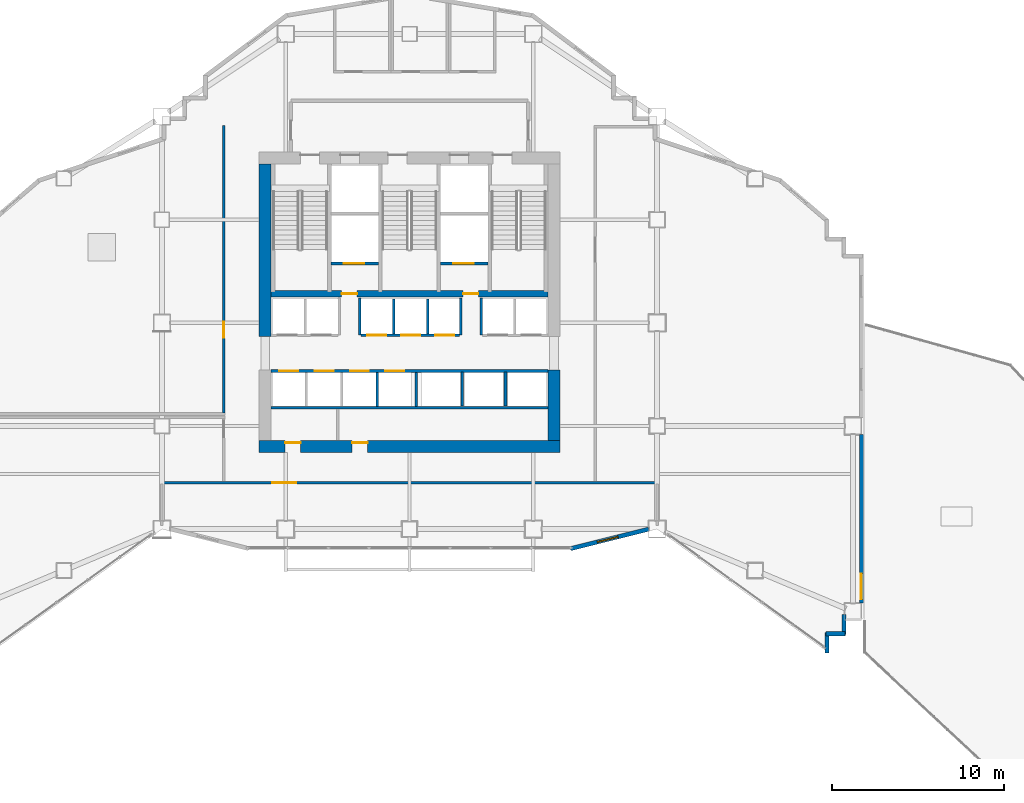
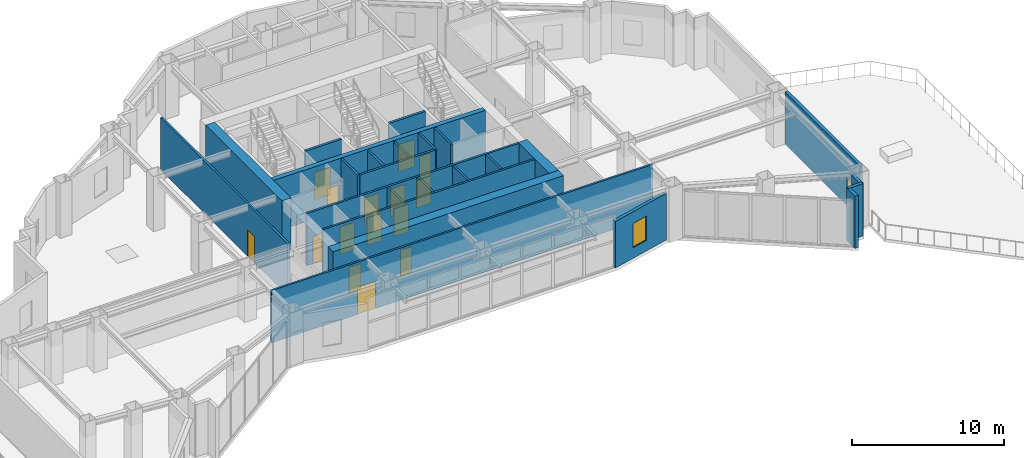
# One storey, part 10 of 19: 25 walls, 16 doors, 1 window, 17 openings.
"""IFC4 building model written with IfcOpenShell, lengths in metres."""

import ifcopenshell
import ifcopenshell.guid

model = None  # the IFC model being written
_history = None  # IfcOwnerHistory: only IFC2X3 demands one
_inside = {}  # id of a spatial element -> (the spatial element, [elements in it])
_under = {}  # id of a project, library or spatial element -> (it, [spatial elements below it])
_declared = {}  # id of a project -> (the project, [libraries it declares])
_typed = {}  # id of a type object -> (the type object, [elements of that type])
_made_of = {}  # id of a material, layer set ... -> (it, [elements and type objects made of it])


def new_model(schema):
    """Start an empty IFC model of exactly this schema.

    Asked for "IFC4X3", IfcOpenShell would pick the latest addendum, in which some entities
    have other attributes; the version numbers below select the first issue.
    IFC2X3 requires an IfcOwnerHistory on every rooted entity: one is made here for all.
    """
    global model, _history
    if schema == "IFC4X3":
        model = ifcopenshell.file(schema_version=(4, 3, 0, 0))
    else:
        model = ifcopenshell.file(schema=schema)
    _inside.clear()
    _under.clear()
    _declared.clear()
    _typed.clear()
    _made_of.clear()
    _history = None
    if model.schema == "IFC2X3":
        org = make("IfcOrganization", Name="unknown")
        user = make(
            "IfcPersonAndOrganization",
            ThePerson=make("IfcPerson", FamilyName="unknown"),
            TheOrganization=org,
        )
        app = make(
            "IfcApplication",
            ApplicationDeveloper=org,
            Version="unknown",
            ApplicationFullName="unknown",
            ApplicationIdentifier="unknown",
        )
        _history = make(
            "IfcOwnerHistory",
            OwningUser=user,
            OwningApplication=app,
            ChangeAction="ADDED",
            CreationDate=0,
        )
    return model


def make(cls, **values):
    """One entity of the class cls with the attributes given. An attribute that is None is left unset."""
    return model.create_entity(
        cls, **{name: value for name, value in values.items() if value is not None}
    )


def rooted(cls, **values):
    """An entity with a GlobalId (a new one), such as an element, a storey or a relation."""
    return make(cls, GlobalId=ifcopenshell.guid.new(), OwnerHistory=_history, **values)


def si_unit(unit_type, name, prefix=None):
    """IfcSIUnit, for example si_unit("LENGTHUNIT", "METRE", prefix="MILLI")."""
    return make("IfcSIUnit", UnitType=unit_type, Prefix=prefix, Name=name)


def assignment(units):
    """IfcUnitAssignment: the units of a project."""
    return None if units is None else make("IfcUnitAssignment", Units=units)


def point(xyz):
    """IfcCartesianPoint."""
    return None if xyz is None else make("IfcCartesianPoint", Coordinates=xyz)


def direction(xyz):
    """IfcDirection."""
    return None if xyz is None else make("IfcDirection", DirectionRatios=xyz)


def frame(location, z_axis=None, x_axis=None):
    """IfcAxis2Placement3D, a coordinate frame: its origin and axes. An axis left out is left unset."""
    return make(
        "IfcAxis2Placement3D",
        Location=point(location),
        Axis=direction(z_axis),
        RefDirection=direction(x_axis),
    )


def frame_2d(location, x_axis=None):
    """IfcAxis2Placement2D, a coordinate frame in the plane: its origin and x axis."""
    return make(
        "IfcAxis2Placement2D", Location=point(location), RefDirection=direction(x_axis)
    )


def origin():
    """The frame at (0, 0, 0) with its axes left unset."""
    return frame((0.0, 0.0, 0.0))


def place(relative_to, where):
    """IfcLocalPlacement: puts the frame where relative to a parent placement (None: the world)."""
    return make(
        "IfcLocalPlacement", PlacementRelTo=relative_to, RelativePlacement=where
    )


def context(
    kind, dimensions, precision=None, world=None, true_north=None, identifier=None
):
    """IfcGeometricRepresentationContext, for example the 3D "Model" context."""
    return make(
        "IfcGeometricRepresentationContext",
        ContextIdentifier=identifier,
        ContextType=kind,
        CoordinateSpaceDimension=dimensions,
        Precision=precision,
        WorldCoordinateSystem=world,
        TrueNorth=true_north,
    )


def subcontext(parent, identifier, kind, view, scale=None):
    """IfcGeometricRepresentationSubContext, for example "Body" below "Model"."""
    return make(
        "IfcGeometricRepresentationSubContext",
        ContextIdentifier=identifier,
        ContextType=kind,
        ParentContext=parent,
        TargetScale=scale,
        TargetView=view,
    )


def project(units=None, contexts=None):
    """IfcProject with its units and contexts."""
    return rooted(
        "IfcProject",
        Name="project",
        RepresentationContexts=contexts,
        UnitsInContext=assignment(units),
    )


def spatial(cls, under=None, at=None, **own):
    """A site, building, storey or space (cls), placed at a placement, below another one or the project."""
    s = rooted(cls, ObjectPlacement=at, **own)
    if under is not None:
        _under.setdefault(under.id(), (under, []))[1].append(s)
    return s


def profile(cls, at=None, kind="AREA", **sizes):
    """A parametric profile (cls). Its sizes go by their IFC names, for example OverallWidth=200.0."""
    return make(cls, ProfileType=kind, Position=at, **sizes)


def rectangle(**sizes):
    """IfcRectangleProfileDef."""
    return profile("IfcRectangleProfileDef", **sizes)


def extrude(swept, where, along, depth):
    """IfcExtrudedAreaSolid: the profile swept, set in the frame where, extruded along a direction by depth."""
    return make(
        "IfcExtrudedAreaSolid",
        SweptArea=swept,
        Position=where,
        ExtrudedDirection=direction(along),
        Depth=depth,
    )


def shape(context_of_items, identifier, shape_type, items):
    """IfcShapeRepresentation: the items that make up one representation, for example the "Body"."""
    return make(
        "IfcShapeRepresentation",
        ContextOfItems=context_of_items,
        RepresentationIdentifier=identifier,
        RepresentationType=shape_type,
        Items=items,
    )


def material(Name=None, Category=None):
    """IfcMaterial."""
    return make("IfcMaterial", Name=Name, Category=Category)


def layer(
    of_material, thickness, ventilated=None, Name=None, Category=None, Priority=None
):
    """IfcMaterialLayer: one layer of a wall or slab, of a material (None: an air gap)."""
    return make(
        "IfcMaterialLayer",
        Material=of_material,
        LayerThickness=thickness,
        IsVentilated=ventilated,
        Name=Name,
        Category=Category,
        Priority=Priority,
    )


def layer_set(layers, Name=None):
    """IfcMaterialLayerSet."""
    return make("IfcMaterialLayerSet", MaterialLayers=layers, LayerSetName=Name)


def made_of(thing, what):
    """Note that an element or type object is made of a material, layer set ...; save() writes the relation."""
    if what is not None:
        _made_of.setdefault(what.id(), (what, []))[1].append(thing)
    return thing


def type_object(cls, material=None, **own):
    """A type object (cls), such as IfcWallType, which elements share."""
    return made_of(rooted(cls, **own), material)


def element(
    cls,
    number,
    at=None,
    inside=None,
    cuts=None,
    type_object=None,
    material=None,
    context=None,
    identifier="Body",
    shape_type=None,
    held_by="IfcProductDefinitionShape",
    body=None,
    shapes=None,
    **own,
):
    """One element of the class cls, such as IfcWall. Its Tag is "e" and its number.

    at: its placement. inside: the storey or other place that contains it. cuts: it is an
    opening in that element (IfcRelVoidsElement). A single representation is given by context,
    identifier, shape_type and body (its items); several are given by shapes. held_by: the class
    of the entity that holds the representations. save() writes the other relations.
    """
    e = rooted(cls, Tag="e%d" % number, ObjectPlacement=at, **own)
    if body is not None:
        shapes = [shape(context, identifier, shape_type, body)]
    if shapes is not None:
        e.Representation = make(held_by, Representations=shapes)
    if inside is not None:
        _inside.setdefault(inside.id(), (inside, []))[1].append(e)
    if cuts is not None:
        rooted(
            "IfcRelVoidsElement", RelatingBuildingElement=cuts, RelatedOpeningElement=e
        )
    if type_object is not None:
        _typed.setdefault(type_object.id(), (type_object, []))[1].append(e)
    return made_of(e, material)


def fill(opening, filler):
    """IfcRelFillsElement: the door or window that sits in an opening."""
    return rooted(
        "IfcRelFillsElement",
        RelatingOpeningElement=opening,
        RelatedBuildingElement=filler,
    )


def aggregate(whole, parts):
    """IfcRelAggregates: a whole, such as a stair, and the parts it consists of."""
    return rooted("IfcRelAggregates", RelatingObject=whole, RelatedObjects=parts)


def save(model, path):
    """Write the relations noted so far, then the file.

    IfcRelAggregates (storeys below a building ...), IfcRelContainedInSpatialStructure (elements
    in a storey), IfcRelDefinesByType, IfcRelAssociatesMaterial and IfcRelDeclares: one each for
    every whole, place, type object, material and project.
    """
    for whole, parts in _under.values():
        aggregate(whole, parts)
    for where, things in _inside.values():
        rooted(
            "IfcRelContainedInSpatialStructure",
            RelatedElements=things,
            RelatingStructure=where,
        )
    for kind, things in _typed.values():
        rooted("IfcRelDefinesByType", RelatedObjects=things, RelatingType=kind)
    for what, things in _made_of.values():
        rooted("IfcRelAssociatesMaterial", RelatedObjects=things, RelatingMaterial=what)
    for by, libraries in _declared.values():
        rooted("IfcRelDeclares", RelatingContext=by, RelatedDefinitions=libraries)
    model.write(path)


model = new_model("IFC4")

# Units and contexts
model_context = context("Model", 3, precision=1e-05, world=origin(), true_north=direction((0.0, 1.0)))
body_context = subcontext(model_context, "Body", "Model", "MODEL_VIEW")
ifc_project = project(units=[si_unit("LENGTHUNIT", "METRE"), si_unit("AREAUNIT", "SQUARE_METRE"), si_unit("VOLUMEUNIT", "CUBIC_METRE"), si_unit("PLANEANGLEUNIT", "RADIAN"), si_unit("MASSUNIT", "GRAM", prefix="KILO")], contexts=[model_context])

# Site, building, storey
site_placement = place(None, origin())
site = spatial("IfcSite", under=ifc_project, at=site_placement, CompositionType="ELEMENT")
building_placement = place(site_placement, origin())
building = spatial("IfcBuilding", under=site, at=building_placement, Name="Haolan Belvedere Tower", CompositionType="ELEMENT")
storey_placement = place(building_placement, frame((0.0, 0.0, 94.0)))
storey = spatial("IfcBuildingStorey", under=building, at=storey_placement, Name="L23", CompositionType="ELEMENT", Elevation=94.0)

# Wall, openings, doors
ifc_material_1 = material(Name="Concrete C60/75", Category="concrete")
ifc_layer_1 = layer(ifc_material_1, 0.699951171875, Name="Concrete C60/75")
ifc_layer_set_1 = layer_set([ifc_layer_1], Name="Concrete C60/75")
wall_type_1 = type_object("IfcWallType", Name="WL-CORE-700", PredefinedType="SHEAR", material=ifc_layer_set_1)
wall_1_placement = place(storey_placement, frame((29.64990234375, 26.39990234375, 0.0), z_axis=(0.0, 0.0, 1.0), x_axis=(1.0, 0.0, 0.0)))
wall_1 = element("IfcWall", 1, at=wall_1_placement, inside=storey, type_object=wall_type_1, Name="L23 central core south shear wall", PredefinedType="SHEAR", context=body_context, shape_type="SweptSolid", body=[
    extrude(rectangle(XDim=17.5, YDim=0.699951171875, at=frame_2d((8.75, 0.0))), origin(), (0.0, 0.0, 1.0), 4.199951171875),
])
opening_1_placement = place(wall_1_placement, frame((2.419921875, 0.0, 0.0), z_axis=(0.0, 0.0, 1.0), x_axis=(-1.0, 0.0, 0.0)))
opening_1 = element("IfcOpeningElement", 2, at=opening_1_placement, cuts=wall_1, Name="Opening FD-05", PredefinedType="OPENING", context=body_context, shape_type="SweptSolid", body=[
    extrude(rectangle(XDim=0.89990234375, YDim=2.10009765625, at=frame_2d((0.449951171875, 1.050048828125))), frame((0.0, 0.35986328125, 0.0), z_axis=(0.0, -1.0, 0.0), x_axis=(1.0, 0.0, 0.0)), (0.0, 0.0, 1.0), 0.719970703125),
])
opening_2_placement = place(wall_1_placement, frame((6.309814453125, 0.0, 0.0), z_axis=(0.0, 0.0, 1.0), x_axis=(-1.0, 0.0, 0.0)))
opening_2 = element("IfcOpeningElement", 3, at=opening_2_placement, cuts=wall_1, Name="Opening FD-05", PredefinedType="OPENING", context=body_context, shape_type="SweptSolid", body=[
    extrude(rectangle(XDim=0.89990234375, YDim=2.10009765625, at=frame_2d((0.449951171875, 1.050048828125))), frame((0.0, 0.35986328125, 0.0), z_axis=(0.0, -1.0, 0.0), x_axis=(1.0, 0.0, 0.0)), (0.0, 0.0, 1.0), 0.719970703125),
])
ifc_material_2 = material(Name="Galvanised fire-rated steel", Category="steel")
door_type_1 = type_object("IfcDoorType", Name="DR-FD60-900", OperationType="NOTDEFINED", PredefinedType="DOOR", material=ifc_material_2)
door_1_placement = place(opening_1_placement, origin())
door_1 = element("IfcDoor", 4, at=door_1_placement, inside=storey, type_object=door_type_1, Name="L23 door CD-L23-SCV-1", OperationType="SINGLE_SWING_LEFT", OverallHeight=2.10009765625, OverallWidth=0.89990234375, PredefinedType="DOOR", context=body_context, shape_type="SweptSolid", body=[
    extrude(rectangle(XDim=0.89990234375, YDim=2.10009765625, at=frame_2d((0.449951171875, 1.050048828125))), frame((0.0, -0.19482421875, 0.0), z_axis=(0.0, -1.0, 0.0), x_axis=(1.0, 0.0, 0.0)), (0.0, 0.0, 1.0), 0.050048828125),
])
fill(opening_1, door_1)
door_2_placement = place(opening_2_placement, origin())
door_2 = element("IfcDoor", 5, at=door_2_placement, inside=storey, type_object=door_type_1, Name="L23 door CD-L23-SCV-2", OperationType="SINGLE_SWING_RIGHT", OverallHeight=2.10009765625, OverallWidth=0.89990234375, PredefinedType="DOOR", context=body_context, shape_type="SweptSolid", body=[
    extrude(rectangle(XDim=0.89990234375, YDim=2.10009765625, at=frame_2d((0.449951171875, 1.050048828125))), frame((0.0, -0.19482421875, 0.0), z_axis=(0.0, -1.0, 0.0), x_axis=(1.0, 0.0, 0.0)), (0.0, 0.0, 1.0), 0.050048828125),
])
fill(opening_2, door_2)

# Walls
wall_2_placement = place(storey_placement, frame((30.0, 32.800048828125, 0.0), z_axis=(0.0, 0.0, 1.0), x_axis=(0.0, 1.0, 0.0)))
element("IfcWall", 6, at=wall_2_placement, inside=storey, type_object=wall_type_1, Name="L23 central core shear wall WN", PredefinedType="SHEAR", context=body_context, shape_type="SweptSolid", body=[
    extrude(rectangle(XDim=10.050048828125, YDim=0.699951171875, at=frame_2d((5.02490234375, 0.0))), origin(), (0.0, 0.0, 1.0), 4.199951171875),
])
wall_3_placement = place(storey_placement, frame((46.800048828125, 26.75, 0.0), z_axis=(0.0, 0.0, 1.0), x_axis=(0.0, 1.0, 0.0)))
element("IfcWall", 7, at=wall_3_placement, inside=storey, type_object=wall_type_1, Name="L23 central core shear wall ES", PredefinedType="SHEAR", context=body_context, shape_type="SweptSolid", body=[
    extrude(rectangle(XDim=4.10009765625, YDim=0.699951171875, at=frame_2d((2.050048828125, 0.0))), origin(), (0.0, 0.0, 1.0), 4.199951171875),
])

# Wall, opening, window
ifc_material_3 = material(Name="Precast concrete C40/50", Category="concrete")
ifc_layer_2 = layer(ifc_material_3, 0.239990234375, Name="Precast concrete C40/50")
ifc_layer_set_2 = layer_set([ifc_layer_2], Name="Precast concrete C40/50")
wall_type_2 = type_object("IfcWallType", Name="WL-EXT-240", PredefinedType="SOLIDWALL", material=ifc_layer_set_2)
wall_4_placement = place(storey_placement, frame((47.766845703125, 20.46533203125, 0.0), z_axis=(0.0, 0.0, 1.0), x_axis=(0.970145568042, 0.242523353121, 0.0)))
wall_4 = element("IfcWall", 8, at=wall_4_placement, inside=storey, type_object=wall_type_2, Name="L23 pale-metal exterior spandrel wall 8.1", PredefinedType="SOLIDWALL", context=body_context, shape_type="SweptSolid", body=[
    extrude(rectangle(XDim=4.680908203125, YDim=0.239990234375, at=frame_2d((2.34033203125, 0.0))), origin(), (0.0, 0.0, 1.0), 3.7451171875),
])
opening_3_placement = place(wall_4_placement, frame((1.60009765625, 0.0, 0.85009765625)))
opening_3 = element("IfcOpeningElement", 9, at=opening_3_placement, cuts=wall_4, Name="Opening W-04", PredefinedType="OPENING", context=body_context, shape_type="SweptSolid", body=[
    extrude(rectangle(XDim=1.25, YDim=1.949951171875, at=frame_2d((0.625, 0.97509765625))), frame((0.0, 0.1298828125, 0.0), z_axis=(0.0, -1.0, 0.0), x_axis=(1.0, 0.0, 0.0)), (0.0, 0.0, 1.0), 0.260009765625),
])
ifc_material_4 = material(Name="Anodised aluminium 6063-T6 and Low-E glass", Category="aluminium")
window_type = type_object("IfcWindowType", Name="WN-DECO-Z4", PartitioningType="SINGLE_PANEL", PredefinedType="WINDOW", material=ifc_material_4)
window_placement = place(opening_3_placement, origin())
window = element("IfcWindow", 10, at=window_placement, inside=storey, type_object=window_type, Name="L23 Art Deco chevron window 1", OverallHeight=1.949951171875, OverallWidth=1.25, PartitioningType="SINGLE_PANEL", PredefinedType="WINDOW", context=body_context, shape_type="SweptSolid", body=[
    extrude(rectangle(XDim=1.25, YDim=1.949951171875, at=frame_2d((0.625, 0.97509765625))), frame((0.0, 0.030029296875, 0.0), z_axis=(0.0, -1.0, 0.0), x_axis=(1.0, 0.0, 0.0)), (0.0, 0.0, 1.0), 0.06005859375),
])
fill(opening_3, window)

# Walls
wall_5_placement = place(storey_placement, frame((62.679931640625, 14.4091796875, 0.0), z_axis=(0.0, 0.0, 1.0), x_axis=(0.0, 1.0, 0.0)))
element("IfcWall", 11, at=wall_5_placement, inside=storey, type_object=wall_type_2, Name="L23 pale-metal exterior spandrel wall 10.1", PredefinedType="SOLIDWALL", context=body_context, shape_type="SweptSolid", body=[
    extrude(rectangle(XDim=1.165771484375, YDim=0.239990234375, at=frame_2d((0.5830078125, 0.0))), origin(), (0.0, 0.0, 1.0), 4.199951171875),
])
wall_6_placement = place(storey_placement, frame((62.625, 15.52001953125, 0.0), z_axis=(0.0, 0.0, 1.0), x_axis=(1.0, 0.0, 0.0)))
element("IfcWall", 12, at=wall_6_placement, inside=storey, type_object=wall_type_2, Name="L23 pale-metal exterior spandrel wall 11.1", PredefinedType="SOLIDWALL", context=body_context, shape_type="SweptSolid", body=[
    extrude(rectangle(XDim=1.110107421875, YDim=0.239990234375, at=frame_2d((0.55517578125, 0.0))), origin(), (0.0, 0.0, 1.0), 4.199951171875),
])
wall_7_placement = place(storey_placement, frame((63.679931640625, 15.465087890625, 0.0), z_axis=(0.0, 0.0, 1.0), x_axis=(0.0, 1.0, 0.0)))
element("IfcWall", 13, at=wall_7_placement, inside=storey, type_object=wall_type_2, Name="L23 pale-metal exterior spandrel wall 12.1", PredefinedType="SOLIDWALL", context=body_context, shape_type="SweptSolid", body=[
    extrude(rectangle(XDim=1.1748046875, YDim=0.239990234375, at=frame_2d((0.58740234375, 0.0))), origin(), (0.0, 0.0, 1.0), 4.199951171875),
])

# Wall, opening, door
wall_8_placement = place(storey_placement, frame((64.679931640625, 17.2919921875, 0.0), z_axis=(0.0, 0.0, 1.0), x_axis=(0.0, 1.0, 0.0)))
wall_8 = element("IfcWall", 14, at=wall_8_placement, inside=storey, type_object=wall_type_2, Name="L23 pale-metal exterior spandrel wall 14.1", PredefinedType="SOLIDWALL", context=body_context, shape_type="SweptSolid", body=[
    extrude(rectangle(XDim=9.81591796875, YDim=0.239990234375, at=frame_2d((4.907958984375, 0.0))), origin(), (0.0, 0.0, 1.0), 4.199951171875),
])
opening_4_placement = place(wall_8_placement, frame((1.719970703125, 0.0, 0.0), z_axis=(0.0, 0.0, 1.0), x_axis=(-1.0, 0.0, 0.0)))
opening_4 = element("IfcOpeningElement", 15, at=opening_4_placement, cuts=wall_8, Name="Opening TD-01", PredefinedType="OPENING", context=body_context, shape_type="SweptSolid", body=[
    extrude(rectangle(XDim=1.5, YDim=2.199951171875, at=frame_2d((0.75, 1.10009765625))), frame((0.0, 0.1298828125, 0.0), z_axis=(0.0, -1.0, 0.0), x_axis=(1.0, 0.0, 0.0)), (0.0, 0.0, 1.0), 0.260009765625),
])
ifc_material_5 = material(Name="Thermally broken pale-metal aluminium and Low-E glass", Category="aluminium")
door_type_2 = type_object("IfcDoorType", Name="DR-TER-1500", OperationType="DOUBLE_DOOR_SINGLE_SWING", PredefinedType="DOOR", material=ifc_material_5)
door_3_placement = place(opening_4_placement, origin())
door_3 = element("IfcDoor", 16, at=door_3_placement, inside=storey, type_object=door_type_2, Name="L23 garden terrace access door 2", OperationType="DOUBLE_DOOR_SINGLE_SWING", OverallHeight=2.199951171875, OverallWidth=1.5, PredefinedType="DOOR", context=body_context, shape_type="SweptSolid", body=[
    extrude(rectangle(XDim=1.5, YDim=2.199951171875, at=frame_2d((0.75, 1.10009765625))), frame((0.0, 0.02490234375, 0.0), z_axis=(0.0, -1.0, 0.0), x_axis=(1.0, 0.0, 0.0)), (0.0, 0.0, 1.0), 0.050048828125),
])
fill(opening_4, door_3)

# Wall
ifc_material_6 = material(Name="Double gypsum acoustic stud partition", Category="masonry")
ifc_layer_3 = layer(ifc_material_6, 0.14990234375, Name="Double gypsum acoustic stud partition")
ifc_layer_set_3 = layer_set([ifc_layer_3], Name="Double gypsum acoustic stud partition")
wall_type_3 = type_object("IfcWallType", Name="WL-PART-150", PredefinedType="PARTITIONING", material=ifc_layer_set_3)
wall_9_placement = place(storey_placement, frame((30.35009765625, 28.659912109375, 0.0), z_axis=(0.0, 0.0, 1.0), x_axis=(1.0, 0.0, 0.0)))
element("IfcWall", 17, at=wall_9_placement, inside=storey, type_object=wall_type_3, Name="L23 interior partition IW-L23-SSTRIP-N", PredefinedType="PARTITIONING", context=body_context, shape_type="SweptSolid", body=[
    extrude(rectangle(XDim=16.099853515625, YDim=0.14990234375, at=frame_2d((8.0498046875, 0.0))), origin(), (0.0, 0.0, 1.0), 4.199951171875),
])

# Wall, opening, door
wall_10_placement = place(storey_placement, frame((23.919921875, 24.300048828125, 0.0), z_axis=(0.0, 0.0, 1.0), x_axis=(1.0, 0.0, 0.0)))
wall_10 = element("IfcWall", 18, at=wall_10_placement, inside=storey, type_object=wall_type_3, Name="L23 interior partition IW-L23-SKYL-N", PredefinedType="PARTITIONING", context=body_context, shape_type="SweptSolid", body=[
    extrude(rectangle(XDim=28.9599609375, YDim=0.14990234375, at=frame_2d((14.47998046875, 0.0))), origin(), (0.0, 0.0, 1.0), 4.199951171875),
])
opening_5_placement = place(wall_10_placement, frame((7.89990234375, 0.0, 0.0), z_axis=(0.0, 0.0, 1.0), x_axis=(-1.0, 0.0, 0.0)))
opening_5 = element("IfcOpeningElement", 19, at=opening_5_placement, cuts=wall_10, Name="Opening ID-07", PredefinedType="OPENING", context=body_context, shape_type="SweptSolid", body=[
    extrude(rectangle(XDim=1.39990234375, YDim=2.179931640625, at=frame_2d((0.699951171875, 1.08984375))), frame((0.0, 0.0849609375, 0.0), z_axis=(0.0, -1.0, 0.0), x_axis=(1.0, 0.0, 0.0)), (0.0, 0.0, 1.0), 0.169921875),
])
ifc_material_7 = material(Name="Anodised champagne aluminium and acoustic glass", Category="aluminium")
door_type_3 = type_object("IfcDoorType", Name="DR-DBL-1400", OperationType="DOUBLE_DOOR_SINGLE_SWING", PredefinedType="DOOR", material=ifc_material_7)
door_4_placement = place(opening_5_placement, origin())
door_4 = element("IfcDoor", 20, at=door_4_placement, inside=storey, type_object=door_type_3, Name="L23 door ID-L23-SKYL", OperationType="DOUBLE_DOOR_SINGLE_SWING", OverallHeight=2.179931640625, OverallWidth=1.39990234375, PredefinedType="DOOR", context=body_context, shape_type="SweptSolid", body=[
    extrude(rectangle(XDim=1.39990234375, YDim=2.179931640625, at=frame_2d((0.699951171875, 1.08984375))), frame((0.0, 0.02490234375, 0.0), z_axis=(0.0, -1.0, 0.0), x_axis=(1.0, 0.0, 0.0)), (0.0, 0.0, 1.0), 0.050048828125),
])
fill(opening_5, door_4)

wall_11_placement = place(storey_placement, frame((27.60009765625, 28.360107421875, 0.0), z_axis=(0.0, 0.0, 1.0), x_axis=(0.0, 1.0, 0.0)))
wall_11 = element("IfcWall", 21, at=wall_11_placement, inside=storey, type_object=wall_type_3, Name="L23 interior partition IW-L23-MTG-E", PredefinedType="PARTITIONING", context=body_context, shape_type="SweptSolid", body=[
    extrude(rectangle(XDim=16.719970703125, YDim=0.14990234375, at=frame_2d((8.35986328125, 0.0))), origin(), (0.0, 0.0, 1.0), 4.199951171875),
])
opening_6_placement = place(wall_11_placement, frame((5.31005859375, 0.0, 0.0), z_axis=(0.0, 0.0, 1.0), x_axis=(-1.0, 0.0, 0.0)))
opening_6 = element("IfcOpeningElement", 22, at=opening_6_placement, cuts=wall_11, Name="Opening ID-03", PredefinedType="OPENING", context=body_context, shape_type="SweptSolid", body=[
    extrude(rectangle(XDim=0.949951171875, YDim=2.1201171875, at=frame_2d((0.47509765625, 1.06005859375))), frame((0.0, 0.0849609375, 0.0), z_axis=(0.0, -1.0, 0.0), x_axis=(1.0, 0.0, 0.0)), (0.0, 0.0, 1.0), 0.169921875),
])
ifc_material_8 = material(Name="Painted solid-core timber", Category="wood")
door_type_4 = type_object("IfcDoorType", Name="DR-INT-950", OperationType="NOTDEFINED", PredefinedType="DOOR", material=ifc_material_8)
door_5_placement = place(opening_6_placement, origin())
door_5 = element("IfcDoor", 23, at=door_5_placement, inside=storey, type_object=door_type_4, Name="L23 door ID-L23-MTG", OperationType="SINGLE_SWING_RIGHT", OverallHeight=2.1201171875, OverallWidth=0.949951171875, PredefinedType="DOOR", context=body_context, shape_type="SweptSolid", body=[
    extrude(rectangle(XDim=0.949951171875, YDim=2.1201171875, at=frame_2d((0.47509765625, 1.06005859375))), frame((0.0, 0.02490234375, 0.0), z_axis=(0.0, -1.0, 0.0), x_axis=(1.0, 0.0, 0.0)), (0.0, 0.0, 1.0), 0.050048828125),
])
fill(opening_6, door_5)

# Walls
ifc_material_9 = material(Name="Gypsum fire shaftwall assembly", Category="masonry")
ifc_layer_4 = layer(ifc_material_9, 0.1650390625, Name="Gypsum fire shaftwall assembly")
ifc_layer_set_4 = layer_set([ifc_layer_4], Name="Gypsum fire shaftwall assembly")
wall_type_4 = type_object("IfcWallType", Name="WL-SHAFT-160", PredefinedType="SOLIDWALL", material=ifc_layer_set_4)
for number, where, z_axis, x_axis, name in (
    (24, (35.510009765625, 32.8798828125, 0.0), (0.0, 0.0, 1.0), (0.0, 1.0, 0.0), "L23 interior partition IW-L23-SVP-E-SV1"),
    (25, (41.3701171875, 32.8798828125, 0.0), (0.0, 0.0, 1.0), (0.0, 1.0, 0.0), "L23 interior partition IW-L23-SVP-W-SV2"),
    (26, (42.570068359375, 32.8798828125, 0.0), (0.0, 0.0, 1.0), (0.0, 1.0, 0.0), "L23 interior partition IW-L23-SVP-E-SV2"),
):
    element("IfcWall", number, at=place(storey_placement, frame(where, z_axis=z_axis, x_axis=x_axis)), inside=storey, type_object=wall_type_4, Name=name, PredefinedType="SOLIDWALL", context=body_context, shape_type="SweptSolid", body=[
        extrude(rectangle(XDim=2.170166015625, YDim=0.14990234375, at=frame_2d((1.0849609375, 0.0))), origin(), (0.0, 0.0, 1.0), 4.199951171875),
    ])

# Wall, openings, doors
wall_12_placement = place(storey_placement, frame((35.570068359375, 32.8798828125, 0.0), z_axis=(0.0, 0.0, 1.0), x_axis=(1.0, 0.0, 0.0)))
wall_12 = element("IfcWall", 27, at=wall_12_placement, inside=storey, type_object=wall_type_4, Name="L23 interior partition IW-L23-ROW-PN2", PredefinedType="SOLIDWALL", context=body_context, shape_type="SweptSolid", body=[
    extrude(rectangle(XDim=5.739990234375, YDim=0.159912109375, at=frame_2d((2.8701171875, 0.0))), origin(), (0.0, 0.0, 1.0), 4.199951171875),
])
opening_7_placement = place(wall_12_placement, frame((1.47021484375, 0.0, 0.0), z_axis=(0.0, 0.0, 1.0), x_axis=(-1.0, 0.0, 0.0)))
opening_7 = element("IfcOpeningElement", 28, at=opening_7_placement, cuts=wall_12, Name="Opening LD-01", PredefinedType="OPENING", context=body_context, shape_type="SweptSolid", body=[
    extrude(rectangle(XDim=1.10009765625, YDim=2.199951171875, at=frame_2d((0.550048828125, 1.10009765625))), frame((0.0, 0.08984375, 0.0), z_axis=(0.0, -1.0, 0.0), x_axis=(1.0, 0.0, 0.0)), (0.0, 0.0, 1.0), 0.179931640625),
])
opening_8_placement = place(wall_12_placement, frame((3.460205078125, 0.0, 0.0), z_axis=(0.0, 0.0, 1.0), x_axis=(-1.0, 0.0, 0.0)))
opening_8 = element("IfcOpeningElement", 29, at=opening_8_placement, cuts=wall_12, Name="Opening LD-01", PredefinedType="OPENING", context=body_context, shape_type="SweptSolid", body=[
    extrude(rectangle(XDim=1.10009765625, YDim=2.199951171875, at=frame_2d((0.550048828125, 1.10009765625))), frame((0.0, 0.08984375, 0.0), z_axis=(0.0, -1.0, 0.0), x_axis=(1.0, 0.0, 0.0)), (0.0, 0.0, 1.0), 0.179931640625),
])
opening_9_placement = place(wall_12_placement, frame((5.43017578125, 0.0, 0.0), z_axis=(0.0, 0.0, 1.0), x_axis=(-1.0, 0.0, 0.0)))
opening_9 = element("IfcOpeningElement", 30, at=opening_9_placement, cuts=wall_12, Name="Opening LD-01", PredefinedType="OPENING", context=body_context, shape_type="SweptSolid", body=[
    extrude(rectangle(XDim=1.10009765625, YDim=2.199951171875, at=frame_2d((0.550048828125, 1.10009765625))), frame((0.0, 0.08984375, 0.0), z_axis=(0.0, -1.0, 0.0), x_axis=(1.0, 0.0, 0.0)), (0.0, 0.0, 1.0), 0.179931640625),
])
ifc_material_10 = material(Name="Brushed champagne stainless steel 316L", Category="steel")
door_type_5 = type_object("IfcDoorType", Name="DR-LIFT-1100", OperationType="SLIDING_TO_LEFT", PredefinedType="DOOR", material=ifc_material_10)
door_6_placement = place(opening_7_placement, origin())
door_6 = element("IfcDoor", 31, at=door_6_placement, inside=storey, type_object=door_type_5, Name="L23 door ID-L23-LD-PL3", OperationType="SLIDING_TO_LEFT", OverallHeight=2.199951171875, OverallWidth=1.10009765625, PredefinedType="DOOR", context=body_context, shape_type="SweptSolid", body=[
    extrude(rectangle(XDim=1.10009765625, YDim=2.199951171875, at=frame_2d((0.550048828125, 1.10009765625))), frame((0.0, 0.02490234375, 0.0), z_axis=(0.0, -1.0, 0.0), x_axis=(1.0, 0.0, 0.0)), (0.0, 0.0, 1.0), 0.050048828125),
])
fill(opening_7, door_6)
door_7_placement = place(opening_8_placement, origin())
door_7 = element("IfcDoor", 32, at=door_7_placement, inside=storey, type_object=door_type_5, Name="L23 door ID-L23-LD-PL4", OperationType="SLIDING_TO_LEFT", OverallHeight=2.199951171875, OverallWidth=1.10009765625, PredefinedType="DOOR", context=body_context, shape_type="SweptSolid", body=[
    extrude(rectangle(XDim=1.10009765625, YDim=2.199951171875, at=frame_2d((0.550048828125, 1.10009765625))), frame((0.0, 0.02490234375, 0.0), z_axis=(0.0, -1.0, 0.0), x_axis=(1.0, 0.0, 0.0)), (0.0, 0.0, 1.0), 0.050048828125),
])
fill(opening_8, door_7)
door_8_placement = place(opening_9_placement, origin())
door_8 = element("IfcDoor", 33, at=door_8_placement, inside=storey, type_object=door_type_5, Name="L23 door ID-L23-LD-PH1", OperationType="SLIDING_TO_RIGHT", OverallHeight=2.199951171875, OverallWidth=1.10009765625, PredefinedType="DOOR", context=body_context, shape_type="SweptSolid", body=[
    extrude(rectangle(XDim=1.10009765625, YDim=2.199951171875, at=frame_2d((0.550048828125, 1.10009765625))), frame((0.0, 0.02490234375, 0.0), z_axis=(0.0, -1.0, 0.0), x_axis=(1.0, 0.0, 0.0)), (0.0, 0.0, 1.0), 0.050048828125),
])
fill(opening_9, door_8)

# Walls
for number, where, z_axis, x_axis, name in (
    (34, (37.47998046875, 32.949951171875, 0.0), (0.0, 0.0, 1.0), (0.0, 1.0, 0.0), "L23 interior partition IW-L23-DIV-PL3"),
    (35, (39.469970703125, 32.949951171875, 0.0), (0.0, 0.0, 1.0), (0.0, 1.0, 0.0), "L23 interior partition IW-L23-DIV-PL4"),
):
    element("IfcWall", number, at=place(storey_placement, frame(where, z_axis=z_axis, x_axis=x_axis)), inside=storey, type_object=wall_type_4, Name=name, PredefinedType="SOLIDWALL", context=body_context, shape_type="SweptSolid", body=[
        extrude(rectangle(XDim=2.050048828125, YDim=0.14990234375, at=frame_2d((1.02490234375, 0.0))), origin(), (0.0, 0.0, 1.0), 4.199951171875),
    ])

# Wall, openings, doors
wall_13_placement = place(storey_placement, frame((30.35009765625, 30.800048828125, 0.0), z_axis=(0.0, 0.0, 1.0), x_axis=(1.0, 0.0, 0.0)))
wall_13 = element("IfcWall", 36, at=wall_13_placement, inside=storey, type_object=wall_type_4, Name="L23 interior partition IW-L23-ROW-PS", PredefinedType="SOLIDWALL", context=body_context, shape_type="SweptSolid", body=[
    extrude(rectangle(XDim=16.099853515625, YDim=0.159912109375, at=frame_2d((8.0498046875, 0.0))), origin(), (0.0, 0.0, 1.0), 4.199951171875),
])
opening_10_placement = place(wall_13_placement, frame((0.469970703125, 0.0, 0.0)))
opening_10 = element("IfcOpeningElement", 37, at=opening_10_placement, cuts=wall_13, Name="Opening LD-01", PredefinedType="OPENING", context=body_context, shape_type="SweptSolid", body=[
    extrude(rectangle(XDim=1.10009765625, YDim=2.199951171875, at=frame_2d((0.550048828125, 1.10009765625))), frame((0.0, 0.08984375, 0.0), z_axis=(0.0, -1.0, 0.0), x_axis=(1.0, 0.0, 0.0)), (0.0, 0.0, 1.0), 0.179931640625),
])
opening_11_placement = place(wall_13_placement, frame((2.530029296875, 0.0, 0.0)))
opening_11 = element("IfcOpeningElement", 38, at=opening_11_placement, cuts=wall_13, Name="Opening LD-01", PredefinedType="OPENING", context=body_context, shape_type="SweptSolid", body=[
    extrude(rectangle(XDim=1.10009765625, YDim=2.199951171875, at=frame_2d((0.550048828125, 1.10009765625))), frame((0.0, 0.08984375, 0.0), z_axis=(0.0, -1.0, 0.0), x_axis=(1.0, 0.0, 0.0)), (0.0, 0.0, 1.0), 0.179931640625),
])
opening_12_placement = place(wall_13_placement, frame((4.590087890625, 0.0, 0.0)))
opening_12 = element("IfcOpeningElement", 39, at=opening_12_placement, cuts=wall_13, Name="Opening LD-01", PredefinedType="OPENING", context=body_context, shape_type="SweptSolid", body=[
    extrude(rectangle(XDim=1.10009765625, YDim=2.199951171875, at=frame_2d((0.550048828125, 1.10009765625))), frame((0.0, 0.08984375, 0.0), z_axis=(0.0, -1.0, 0.0), x_axis=(1.0, 0.0, 0.0)), (0.0, 0.0, 1.0), 0.179931640625),
])
opening_13_placement = place(wall_13_placement, frame((6.64990234375, 0.0, 0.0)))
opening_13 = element("IfcOpeningElement", 40, at=opening_13_placement, cuts=wall_13, Name="Opening LD-01", PredefinedType="OPENING", context=body_context, shape_type="SweptSolid", body=[
    extrude(rectangle(XDim=1.10009765625, YDim=2.199951171875, at=frame_2d((0.550048828125, 1.10009765625))), frame((0.0, 0.08984375, 0.0), z_axis=(0.0, -1.0, 0.0), x_axis=(1.0, 0.0, 0.0)), (0.0, 0.0, 1.0), 0.179931640625),
])
door_9_placement = place(opening_10_placement, origin())
door_9 = element("IfcDoor", 41, at=door_9_placement, inside=storey, type_object=door_type_5, Name="L23 door ID-L23-LD-PM1", OperationType="SLIDING_TO_LEFT", OverallHeight=2.199951171875, OverallWidth=1.10009765625, PredefinedType="DOOR", context=body_context, shape_type="SweptSolid", body=[
    extrude(rectangle(XDim=1.10009765625, YDim=2.199951171875, at=frame_2d((0.550048828125, 1.10009765625))), frame((0.0, 0.02490234375, 0.0), z_axis=(0.0, -1.0, 0.0), x_axis=(1.0, 0.0, 0.0)), (0.0, 0.0, 1.0), 0.050048828125),
])
fill(opening_10, door_9)
door_10_placement = place(opening_11_placement, origin())
door_10 = element("IfcDoor", 42, at=door_10_placement, inside=storey, type_object=door_type_5, Name="L23 door ID-L23-LD-PM2", OperationType="SLIDING_TO_LEFT", OverallHeight=2.199951171875, OverallWidth=1.10009765625, PredefinedType="DOOR", context=body_context, shape_type="SweptSolid", body=[
    extrude(rectangle(XDim=1.10009765625, YDim=2.199951171875, at=frame_2d((0.550048828125, 1.10009765625))), frame((0.0, 0.02490234375, 0.0), z_axis=(0.0, -1.0, 0.0), x_axis=(1.0, 0.0, 0.0)), (0.0, 0.0, 1.0), 0.050048828125),
])
fill(opening_11, door_10)
door_11_placement = place(opening_12_placement, origin())
door_11 = element("IfcDoor", 43, at=door_11_placement, inside=storey, type_object=door_type_5, Name="L23 door ID-L23-LD-PM3", OperationType="SLIDING_TO_LEFT", OverallHeight=2.199951171875, OverallWidth=1.10009765625, PredefinedType="DOOR", context=body_context, shape_type="SweptSolid", body=[
    extrude(rectangle(XDim=1.10009765625, YDim=2.199951171875, at=frame_2d((0.550048828125, 1.10009765625))), frame((0.0, 0.02490234375, 0.0), z_axis=(0.0, -1.0, 0.0), x_axis=(1.0, 0.0, 0.0)), (0.0, 0.0, 1.0), 0.050048828125),
])
fill(opening_12, door_11)
door_12_placement = place(opening_13_placement, origin())
door_12 = element("IfcDoor", 44, at=door_12_placement, inside=storey, type_object=door_type_5, Name="L23 door ID-L23-LD-PM4", OperationType="SLIDING_TO_LEFT", OverallHeight=2.199951171875, OverallWidth=1.10009765625, PredefinedType="DOOR", context=body_context, shape_type="SweptSolid", body=[
    extrude(rectangle(XDim=1.10009765625, YDim=2.199951171875, at=frame_2d((0.550048828125, 1.10009765625))), frame((0.0, 0.02490234375, 0.0), z_axis=(0.0, -1.0, 0.0), x_axis=(1.0, 0.0, 0.0)), (0.0, 0.0, 1.0), 0.050048828125),
])
fill(opening_13, door_12)

# Walls
for number, where, z_axis, x_axis, name in (
    (45, (36.52001953125, 28.735107421875, 0.0), (0.0, 0.0, 1.0), (0.0, 1.0, 0.0), "L23 interior partition IW-L23-DIV-PM3"),
    (46, (38.800048828125, 28.735107421875, 0.0), (0.0, 0.0, 1.0), (0.0, 1.0, 0.0), "L23 interior partition IW-L23-DIV-PM4"),
):
    element("IfcWall", number, at=place(storey_placement, frame(where, z_axis=z_axis, x_axis=x_axis)), inside=storey, type_object=wall_type_4, Name=name, PredefinedType="SOLIDWALL", context=body_context, shape_type="SweptSolid", body=[
        extrude(rectangle(XDim=1.98486328125, YDim=0.14990234375, at=frame_2d((0.992431640625, 0.0))), origin(), (0.0, 0.0, 1.0), 4.199951171875),
    ])
for number, where, z_axis, x_axis, name in (
    (47, (41.469970703125, 28.75, 0.0), (0.0, 0.0, 1.0), (0.0, 1.0, 0.0), "L23 interior partition IW-L23-DIV-OB1"),
    (48, (43.97998046875, 28.75, 0.0), (0.0, 0.0, 1.0), (0.0, 1.0, 0.0), "L23 interior partition IW-L23-DIV-OB2"),
):
    element("IfcWall", number, at=place(storey_placement, frame(where, z_axis=z_axis, x_axis=x_axis)), inside=storey, type_object=wall_type_4, Name=name, PredefinedType="SOLIDWALL", context=body_context, shape_type="SweptSolid", body=[
        extrude(rectangle(XDim=1.985107421875, YDim=0.14990234375, at=frame_2d((0.99267578125, 0.0))), origin(), (0.0, 0.0, 1.0), 4.199951171875),
    ])

# Wall, opening, door
ifc_layer_5 = layer(ifc_material_3, 0.179931640625, Name="Precast concrete C40/50")
ifc_layer_set_5 = layer_set([ifc_layer_5], Name="Precast concrete C40/50")
wall_type_5 = type_object("IfcWallType", Name="WL-SHAFT-180", PredefinedType="SOLIDWALL", material=ifc_layer_set_5)
wall_14_placement = place(storey_placement, frame((33.8349609375, 37.050048828125, 0.0), z_axis=(0.0, 0.0, 1.0), x_axis=(1.0, 0.0, 0.0)))
wall_14 = element("IfcWall", 49, at=wall_14_placement, inside=storey, type_object=wall_type_5, Name="L23 interior partition IW-L23-SV1-S", PredefinedType="SOLIDWALL", context=body_context, shape_type="SweptSolid", body=[
    extrude(rectangle(XDim=2.77001953125, YDim=0.179931640625, at=frame_2d((1.385009765625, 0.0))), origin(), (0.0, 0.0, 1.0), 4.199951171875),
])
opening_14_placement = place(wall_14_placement, frame((1.945068359375, 0.0, 0.0), z_axis=(0.0, 0.0, 1.0), x_axis=(-1.0, 0.0, 0.0)))
opening_14 = element("IfcOpeningElement", 50, at=opening_14_placement, cuts=wall_14, Name="Opening LD-02", PredefinedType="OPENING", context=body_context, shape_type="SweptSolid", body=[
    extrude(rectangle(XDim=1.199951171875, YDim=2.199951171875, at=frame_2d((0.60009765625, 1.10009765625))), frame((0.0, 0.099853515625, 0.0), z_axis=(0.0, -1.0, 0.0), x_axis=(1.0, 0.0, 0.0)), (0.0, 0.0, 1.0), 0.199951171875),
])
door_type_6 = type_object("IfcDoorType", Name="DR-LIFT-1200", OperationType="SLIDING_TO_RIGHT", PredefinedType="DOOR", material=ifc_material_10)
door_13_placement = place(opening_14_placement, origin())
door_13 = element("IfcDoor", 51, at=door_13_placement, inside=storey, type_object=door_type_6, Name="L23 door ID-L23-LD-SV1", OperationType="SLIDING_TO_RIGHT", OverallHeight=2.199951171875, OverallWidth=1.199951171875, PredefinedType="DOOR", context=body_context, shape_type="SweptSolid", body=[
    extrude(rectangle(XDim=1.199951171875, YDim=2.199951171875, at=frame_2d((0.60009765625, 1.10009765625))), frame((0.0, 0.02490234375, 0.0), z_axis=(0.0, -1.0, 0.0), x_axis=(1.0, 0.0, 0.0)), (0.0, 0.0, 1.0), 0.050048828125),
])
fill(opening_14, door_13)

wall_15_placement = place(storey_placement, frame((40.195068359375, 37.050048828125, 0.0), z_axis=(0.0, 0.0, 1.0), x_axis=(1.0, 0.0, 0.0)))
wall_15 = element("IfcWall", 52, at=wall_15_placement, inside=storey, type_object=wall_type_5, Name="L23 interior partition IW-L23-SV2-S", PredefinedType="SOLIDWALL", context=body_context, shape_type="SweptSolid", body=[
    extrude(rectangle(XDim=2.77001953125, YDim=0.179931640625, at=frame_2d((1.385009765625, 0.0))), origin(), (0.0, 0.0, 1.0), 4.199951171875),
])
opening_15_placement = place(wall_15_placement, frame((1.945068359375, 0.0, 0.0), z_axis=(0.0, 0.0, 1.0), x_axis=(-1.0, 0.0, 0.0)))
opening_15 = element("IfcOpeningElement", 53, at=opening_15_placement, cuts=wall_15, Name="Opening LD-02", PredefinedType="OPENING", context=body_context, shape_type="SweptSolid", body=[
    extrude(rectangle(XDim=1.199951171875, YDim=2.199951171875, at=frame_2d((0.60009765625, 1.10009765625))), frame((0.0, 0.099853515625, 0.0), z_axis=(0.0, -1.0, 0.0), x_axis=(1.0, 0.0, 0.0)), (0.0, 0.0, 1.0), 0.199951171875),
])
door_14_placement = place(opening_15_placement, origin())
door_14 = element("IfcDoor", 54, at=door_14_placement, inside=storey, type_object=door_type_6, Name="L23 door ID-L23-LD-SV2", OperationType="SLIDING_TO_RIGHT", OverallHeight=2.199951171875, OverallWidth=1.199951171875, PredefinedType="DOOR", context=body_context, shape_type="SweptSolid", body=[
    extrude(rectangle(XDim=1.199951171875, YDim=2.199951171875, at=frame_2d((0.60009765625, 1.10009765625))), frame((0.0, 0.02490234375, 0.0), z_axis=(0.0, -1.0, 0.0), x_axis=(1.0, 0.0, 0.0)), (0.0, 0.0, 1.0), 0.050048828125),
])
fill(opening_15, door_14)

# Wall, openings, doors
ifc_layer_6 = layer(ifc_material_1, 0.360107421875, Name="Concrete C60/75")
ifc_layer_set_6 = layer_set([ifc_layer_6], Name="Concrete C60/75")
wall_type_6 = type_object("IfcWallType", Name="WL-WEB-350", PredefinedType="SHEAR", material=ifc_layer_set_6)
wall_16_placement = place(storey_placement, frame((30.35009765625, 35.2900390625, 0.0), z_axis=(0.0, 0.0, 1.0), x_axis=(1.0, 0.0, 0.0)))
wall_16 = element("IfcWall", 55, at=wall_16_placement, inside=storey, type_object=wall_type_6, Name="L23 central core internal shear web", PredefinedType="SHEAR", context=body_context, shape_type="SweptSolid", body=[
    extrude(rectangle(XDim=16.099853515625, YDim=0.360107421875, at=frame_2d((8.0498046875, 0.0))), origin(), (0.0, 0.0, 1.0), 4.199951171875),
])
opening_16_placement = place(wall_16_placement, frame((5.0, 0.0, 0.0), z_axis=(0.0, 0.0, 1.0), x_axis=(-1.0, 0.0, 0.0)))
opening_16 = element("IfcOpeningElement", 56, at=opening_16_placement, cuts=wall_16, Name="Opening FD-05", PredefinedType="OPENING", context=body_context, shape_type="SweptSolid", body=[
    extrude(rectangle(XDim=0.89990234375, YDim=2.10009765625, at=frame_2d((0.449951171875, 1.050048828125))), frame((0.0, 0.18994140625, 0.0), z_axis=(0.0, -1.0, 0.0), x_axis=(1.0, 0.0, 0.0)), (0.0, 0.0, 1.0), 0.380126953125),
])
opening_17_placement = place(wall_16_placement, frame((12.059814453125, 0.0, 0.0), z_axis=(0.0, 0.0, 1.0), x_axis=(-1.0, 0.0, 0.0)))
opening_17 = element("IfcOpeningElement", 57, at=opening_17_placement, cuts=wall_16, Name="Opening FD-05", PredefinedType="OPENING", context=body_context, shape_type="SweptSolid", body=[
    extrude(rectangle(XDim=0.89990234375, YDim=2.10009765625, at=frame_2d((0.449951171875, 1.050048828125))), frame((0.0, 0.18994140625, 0.0), z_axis=(0.0, -1.0, 0.0), x_axis=(1.0, 0.0, 0.0)), (0.0, 0.0, 1.0), 0.380126953125),
])
door_15_placement = place(opening_16_placement, origin())
door_15 = element("IfcDoor", 58, at=door_15_placement, inside=storey, type_object=door_type_1, Name="L23 door CD-L23-SVL-SV1", OperationType="SINGLE_SWING_RIGHT", OverallHeight=2.10009765625, OverallWidth=0.89990234375, PredefinedType="DOOR", context=body_context, shape_type="SweptSolid", body=[
    extrude(rectangle(XDim=0.89990234375, YDim=2.10009765625, at=frame_2d((0.449951171875, 1.050048828125))), frame((0.0, 0.02490234375, 0.0), z_axis=(0.0, -1.0, 0.0), x_axis=(1.0, 0.0, 0.0)), (0.0, 0.0, 1.0), 0.050048828125),
])
fill(opening_16, door_15)
door_16_placement = place(opening_17_placement, origin())
door_16 = element("IfcDoor", 59, at=door_16_placement, inside=storey, type_object=door_type_1, Name="L23 door CD-L23-SVL-SV2", OperationType="SINGLE_SWING_RIGHT", OverallHeight=2.10009765625, OverallWidth=0.89990234375, PredefinedType="DOOR", context=body_context, shape_type="SweptSolid", body=[
    extrude(rectangle(XDim=0.89990234375, YDim=2.10009765625, at=frame_2d((0.449951171875, 1.050048828125))), frame((0.0, 0.02490234375, 0.0), z_axis=(0.0, -1.0, 0.0), x_axis=(1.0, 0.0, 0.0)), (0.0, 0.0, 1.0), 0.050048828125),
])
fill(opening_17, door_16)

save(model, "model.ifc")
